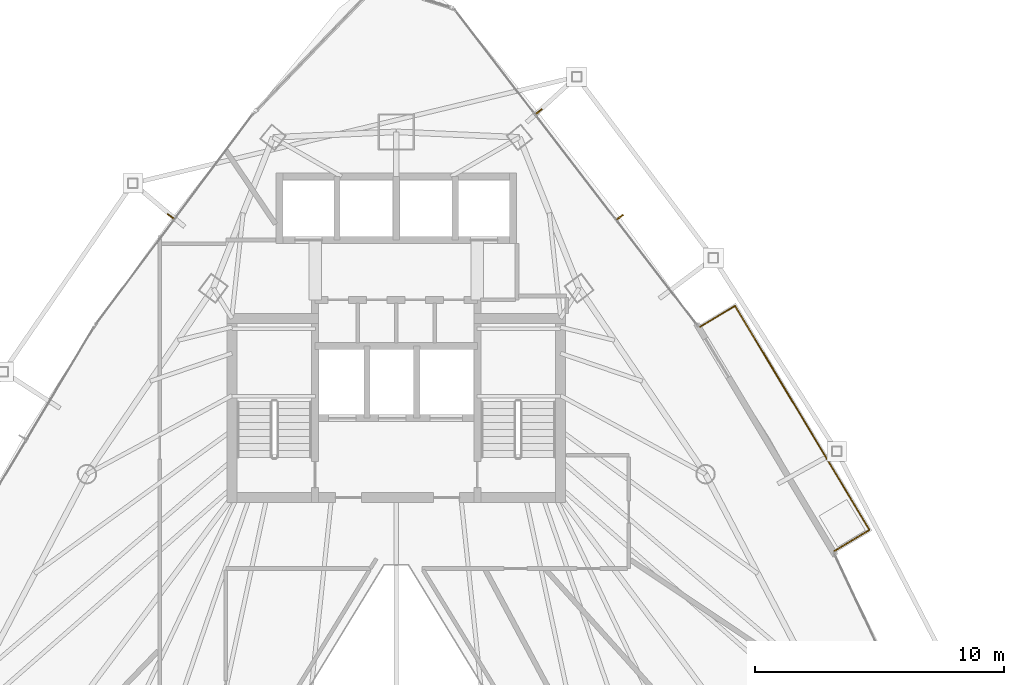
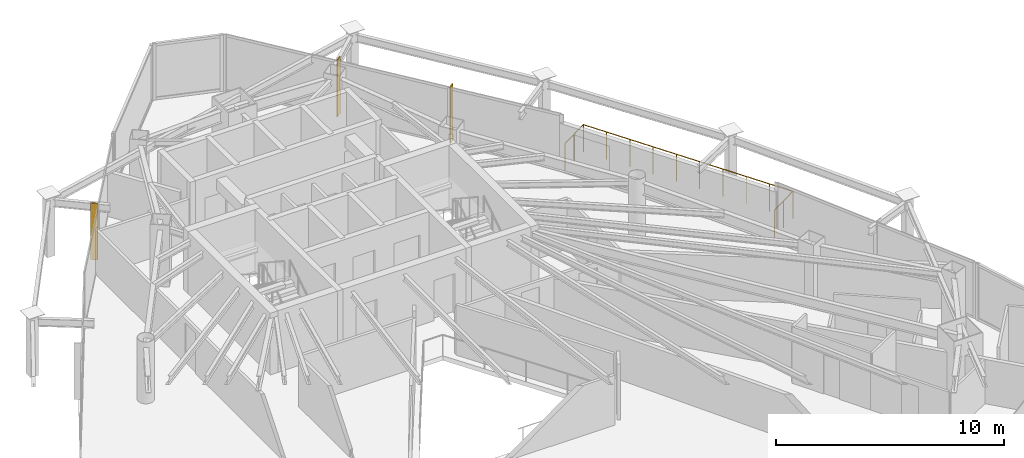
# One storey, part 31 of 31: 3 shading devices, 1 railing.
"""IFC4 building model written with IfcOpenShell, lengths in metres."""

from ifc_helpers import new_model, si_unit, direction, frame, origin, origin_2d, place, context, subcontext, project, spatial, rectangle, circle, extrude, material, layer, layer_set, type_object, element, save


model = new_model("IFC4")

# Units and contexts
model_context = context("Model", 3, precision=1e-05, world=origin(), true_north=direction((0.0, 1.0)))
body_context = subcontext(model_context, "Body", "Model", "MODEL_VIEW")
ifc_project = project(units=[si_unit("LENGTHUNIT", "METRE"), si_unit("AREAUNIT", "SQUARE_METRE"), si_unit("VOLUMEUNIT", "CUBIC_METRE"), si_unit("PLANEANGLEUNIT", "RADIAN"), si_unit("MASSUNIT", "GRAM", prefix="KILO")], contexts=[model_context])

# Site, building, storey
site_placement = place(None, origin())
site = spatial("IfcSite", under=ifc_project, at=site_placement, CompositionType="ELEMENT")
building_placement = place(site_placement, origin())
building = spatial("IfcBuilding", under=site, at=building_placement, Name="Orvanel Arch Residences", CompositionType="ELEMENT")
storey_placement = place(building_placement, frame((0.0, 0.0, 183.64990234375)))
storey = spatial("IfcBuildingStorey", under=building, at=storey_placement, Name="L52", CompositionType="ELEMENT", Elevation=183.64990234375)

# Shading devices
ifc_material = material(Name="Bronze-anodised aluminium AA6063-T6", Category="aluminium")
ifc_layer = layer(ifc_material, 0.054931640625)
ifc_layer_set = layer_set([ifc_layer], Name="Bronze-anodised aluminium AA6063-T6")
shading_device_type = type_object("IfcShadingDeviceType", Name="FIN-BRZ-320", PredefinedType="USERDEFINED", material=ifc_layer_set)
for number, where, z_axis, x_axis, name in (
    (1, (23.93701171875, 38.0029296875, 0.0), (0.0, 0.0, 1.0), (-0.800731370949, 0.599023598516, 0.0), "L52 Anodised Bronze Mullion FIN 01"),
    (2, (41.992919921875, 37.971923828125, 0.0), (0.0, 0.0, 1.0), (0.792289643355, 0.610145163901, 0.0), "L52 Anodised Bronze Mullion FIN 01"),
    (3, (38.73095703125, 42.215087890625, 0.0), (0.0, 0.0, 1.0), (0.792289643355, 0.610145163901, 0.0), "L52 Anodised Bronze Mullion FIN 02"),
):
    element("IfcShadingDevice", number, at=place(storey_placement, frame(where, z_axis=z_axis, x_axis=x_axis)), inside=storey, type_object=shading_device_type, Name=name, ObjectType="FIN", PredefinedType="USERDEFINED", context=body_context, shape_type="SweptSolid", body=[
        extrude(rectangle(XDim=0.320068359375, YDim=0.054931640625, at=origin_2d()), origin(), (0.0, 0.0, 1.0), 3.02001953125),
    ])

# Railing
railing_type = type_object("IfcRailingType", Name="RL-BAL-1480", PredefinedType="BALUSTRADE", material=ifc_material)
railing_placement = place(storey_placement, frame((50.612060546875, 24.555908203125, 0.0)))
element("IfcRailing", 4, at=railing_placement, inside=storey, type_object=railing_type, Name="L52 Balcony Perimeter Guardrail Face 3", PredefinedType="BALUSTRADE", context=body_context, shape_type="SweptSolid", body=[
    extrude(circle(Radius=0.02392578125, at=origin_2d()), frame((0.001220703125, 0.000732421875, 1.4560546875), z_axis=(0.857545439568, 0.514408222208, 0.0), x_axis=(-0.514408222208, 0.857545439568, 0.0)), (0.0, 0.0, 1.0), 1.6376953125),
    extrude(circle(Radius=0.02392578125, at=origin_2d()), frame((1.40625, 0.84521484375, 1.4560546875), z_axis=(-0.514358984381, 0.857574973507, 0.0), x_axis=(-0.857574973507, -0.514358984381, 0.0)), (0.0, 0.0, 1.0), 10.497802734375),
    extrude(circle(Radius=0.02392578125, at=origin_2d()), frame((-3.995361328125, 9.848388671875, 1.4560546875), z_axis=(-0.857387817543, -0.514670895164, 0.0), x_axis=(0.514670895164, -0.857387817543, 0.0)), (0.0, 0.0, 1.0), 1.636962890625),
    extrude(circle(Radius=0.02099609375, at=origin_2d()), origin(), (0.0, 0.0, 1.0), 1.429931640625),
    extrude(circle(Radius=0.02099609375, at=origin_2d()), frame((0.70361328125, 0.421875, 0.0)), (0.0, 0.0, 1.0), 1.429931640625),
    extrude(circle(Radius=0.02099609375, at=origin_2d()), frame((1.406982421875, 0.843994140625, 0.0)), (0.0, 0.0, 1.0), 1.429931640625),
    extrude(circle(Radius=0.02099609375, at=origin_2d()), frame((0.806884765625, 1.844482421875, 0.0)), (0.0, 0.0, 1.0), 1.429931640625),
    extrude(circle(Radius=0.02099609375, at=origin_2d()), frame((0.206787109375, 2.84521484375, 0.0)), (0.0, 0.0, 1.0), 1.429931640625),
    extrude(circle(Radius=0.02099609375, at=origin_2d()), frame((-0.393310546875, 3.845703125, 0.0)), (0.0, 0.0, 1.0), 1.429931640625),
    extrude(circle(Radius=0.02099609375, at=origin_2d()), frame((-0.993408203125, 4.84619140625, 0.0)), (0.0, 0.0, 1.0), 1.429931640625),
    extrude(circle(Radius=0.02099609375, at=origin_2d()), frame((-1.59375, 5.846923828125, 0.0)), (0.0, 0.0, 1.0), 1.429931640625),
    extrude(circle(Radius=0.02099609375, at=origin_2d()), frame((-2.19384765625, 6.847412109375, 0.0)), (0.0, 0.0, 1.0), 1.429931640625),
    extrude(circle(Radius=0.02099609375, at=origin_2d()), frame((-2.7939453125, 7.847900390625, 0.0)), (0.0, 0.0, 1.0), 1.429931640625),
    extrude(circle(Radius=0.02099609375, at=origin_2d()), frame((-3.39404296875, 8.8486328125, 0.0)), (0.0, 0.0, 1.0), 1.429931640625),
    extrude(circle(Radius=0.02099609375, at=origin_2d()), frame((-3.994140625, 9.84912109375, 0.0)), (0.0, 0.0, 1.0), 1.429931640625),
    extrude(circle(Radius=0.02099609375, at=origin_2d()), frame((-4.697265625, 9.42724609375, 0.0)), (0.0, 0.0, 1.0), 1.429931640625),
    extrude(circle(Radius=0.02099609375, at=origin_2d()), frame((-5.400146484375, 9.005126953125, 0.0)), (0.0, 0.0, 1.0), 1.429931640625),
])

save(model, "model.ifc")
